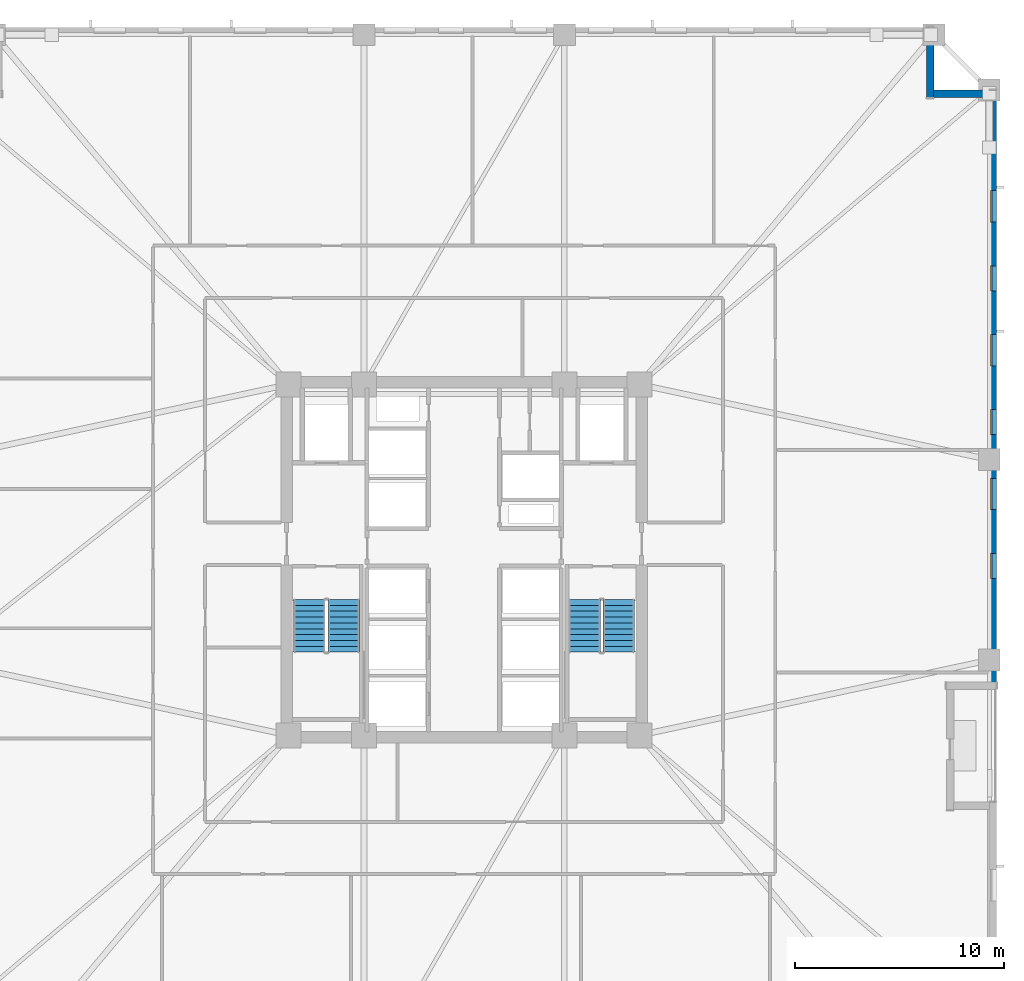
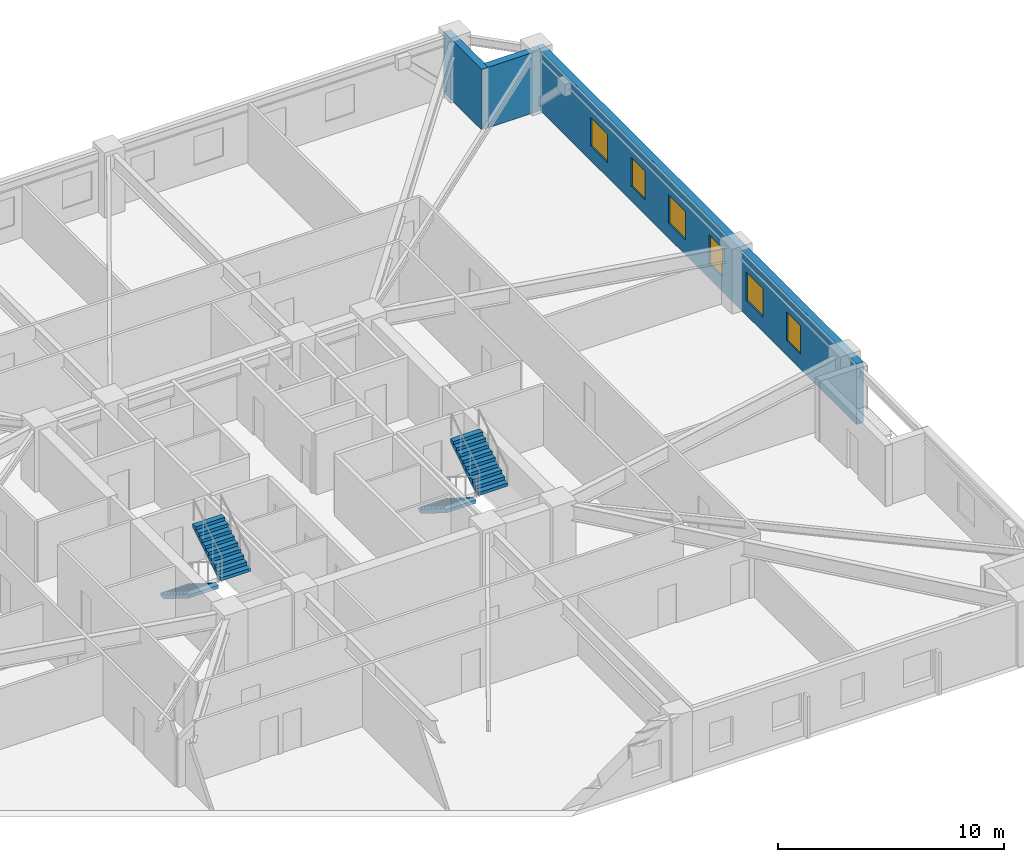
# One storey, part 6 of 11: 6 windows, 4 stair flights, 3 walls, 6 openings, 2 elements without a shape of their own.
"""IFC4 building model written with IfcOpenShell, lengths in metres."""

from ifc_helpers import new_model, si_unit, direction, frame, frame_2d, origin, place, context, subcontext, project, spatial, polyline, rectangle, outline, extrude, material, layer, layer_set, type_object, element, fill, aggregate, save


model = new_model("IFC4")

# Units and contexts
model_context = context("Model", 3, precision=1e-05, world=origin(), true_north=direction((0.0, 1.0)))
body_context = subcontext(model_context, "Body", "Model", "MODEL_VIEW")
ifc_project = project(units=[si_unit("LENGTHUNIT", "METRE"), si_unit("AREAUNIT", "SQUARE_METRE"), si_unit("VOLUMEUNIT", "CUBIC_METRE"), si_unit("PLANEANGLEUNIT", "RADIAN"), si_unit("MASSUNIT", "GRAM", prefix="KILO")], contexts=[model_context])

# Site, building, storey
site_placement = place(None, origin())
site = spatial("IfcSite", under=ifc_project, at=site_placement, CompositionType="ELEMENT")
building_placement = place(site_placement, origin())
building = spatial("IfcBuilding", under=site, at=building_placement, Name="Cairnveth Concourse Tower", CompositionType="ELEMENT")
storey_placement = place(building_placement, frame((0.0, 0.0, 58.5)))
storey = spatial("IfcBuildingStorey", under=building, at=storey_placement, Name="L15", CompositionType="ELEMENT", Elevation=58.5)

# Walls
ifc_material_1 = material(Name="Hawthorn Red-Ochre Fired Clay Brick Masonry", Category="masonry")
ifc_layer = layer(ifc_material_1, 0.360107421875)
ifc_layer_set = layer_set([ifc_layer], Name="Hawthorn Red-Ochre Fired Clay Brick Masonry")
wall_type = type_object("IfcWallType", Name="ZONE 1 BRICK PIER SPANDREL WALL 360", PredefinedType="SOLIDWALL", material=ifc_layer_set)
wall_1_placement = place(storey_placement, frame((74.320068359375, 64.5, 0.0), z_axis=(0.0, 0.0, 1.0), x_axis=(0.0, -1.0, 0.0)))
element("IfcWall", 1, at=wall_1_placement, inside=storey, type_object=wall_type, Name="Exterior Wall EW-L15-S10", PredefinedType="SOLIDWALL", context=body_context, shape_type="SweptSolid", body=[
    extrude(rectangle(XDim=3.360107421875, YDim=0.360107421875, at=frame_2d((1.68017578125, 0.0))), origin(), (0.0, 0.0, 1.0), 3.280029296875),
])
wall_2_placement = place(storey_placement, frame((74.47802734375, 61.320068359375, 0.0), z_axis=(0.0, 0.0, 1.0), x_axis=(1.0, 0.0, 0.0)))
element("IfcWall", 2, at=wall_2_placement, inside=storey, type_object=wall_type, Name="Exterior Wall EW-L15-S11", PredefinedType="SOLIDWALL", context=body_context, shape_type="SweptSolid", body=[
    extrude(rectangle(XDim=2.68408203125, YDim=0.360107421875, at=frame_2d((1.342041015625, 0.0))), origin(), (0.0, 0.0, 1.0), 3.280029296875),
])

# Wall, openings, windows
wall_3_placement = place(storey_placement, frame((77.320068359375, 61.5, 0.0), z_axis=(0.0, 0.0, 1.0), x_axis=(0.0, -1.0, 0.0)))
wall_3 = element("IfcWall", 3, at=wall_3_placement, inside=storey, type_object=wall_type, Name="Exterior Wall EW-L15-S12", PredefinedType="SOLIDWALL", context=body_context, shape_type="SweptSolid", body=[
    extrude(rectangle(XDim=28.362060546875, YDim=0.360107421875, at=frame_2d((14.18115234375, 0.0))), origin(), (0.0, 0.0, 1.0), 3.280029296875),
])
opening_1_placement = place(wall_3_placement, frame((4.82177734375, 0.0, 0.800048828125)))
opening_1 = element("IfcOpeningElement", 4, at=opening_1_placement, cuts=wall_3, Name="Opening W03", PredefinedType="OPENING", context=body_context, shape_type="SweptSolid", body=[
    extrude(rectangle(XDim=1.5, YDim=1.5439453125, at=frame_2d((0.75, 0.77197265625))), frame((0.0, 0.18994140625, 0.0), z_axis=(0.0, -1.0, 0.0), x_axis=(1.0, 0.0, 0.0)), (0.0, 0.0, 1.0), 0.380126953125),
])
opening_2_placement = place(wall_3_placement, frame((8.41552734375, 0.0, 0.800048828125)))
opening_2 = element("IfcOpeningElement", 5, at=opening_2_placement, cuts=wall_3, Name="Opening W01", PredefinedType="OPENING", context=body_context, shape_type="SweptSolid", body=[
    extrude(rectangle(XDim=1.199951171875, YDim=1.5439453125, at=frame_2d((0.60009765625, 0.77197265625))), frame((0.0, 0.18994140625, 0.0), z_axis=(0.0, -1.0, 0.0), x_axis=(1.0, 0.0, 0.0)), (0.0, 0.0, 1.0), 0.380126953125),
])
opening_3_placement = place(wall_3_placement, frame((11.709228515625, 0.0, 0.800048828125)))
opening_3 = element("IfcOpeningElement", 6, at=opening_3_placement, cuts=wall_3, Name="Opening W03", PredefinedType="OPENING", context=body_context, shape_type="SweptSolid", body=[
    extrude(rectangle(XDim=1.5, YDim=1.5439453125, at=frame_2d((0.75, 0.77197265625))), frame((0.0, 0.18994140625, 0.0), z_axis=(0.0, -1.0, 0.0), x_axis=(1.0, 0.0, 0.0)), (0.0, 0.0, 1.0), 0.380126953125),
])
opening_4_placement = place(wall_3_placement, frame((15.302734375, 0.0, 0.800048828125)))
opening_4 = element("IfcOpeningElement", 7, at=opening_4_placement, cuts=wall_3, Name="Opening W01", PredefinedType="OPENING", context=body_context, shape_type="SweptSolid", body=[
    extrude(rectangle(XDim=1.199951171875, YDim=1.5439453125, at=frame_2d((0.60009765625, 0.77197265625))), frame((0.0, 0.18994140625, 0.0), z_axis=(0.0, -1.0, 0.0), x_axis=(1.0, 0.0, 0.0)), (0.0, 0.0, 1.0), 0.380126953125),
])
opening_5_placement = place(wall_3_placement, frame((18.596435546875, 0.0, 0.800048828125)))
opening_5 = element("IfcOpeningElement", 8, at=opening_5_placement, cuts=wall_3, Name="Opening W03", PredefinedType="OPENING", context=body_context, shape_type="SweptSolid", body=[
    extrude(rectangle(XDim=1.5, YDim=1.5439453125, at=frame_2d((0.75, 0.77197265625))), frame((0.0, 0.18994140625, 0.0), z_axis=(0.0, -1.0, 0.0), x_axis=(1.0, 0.0, 0.0)), (0.0, 0.0, 1.0), 0.380126953125),
])
opening_6_placement = place(wall_3_placement, frame((22.190185546875, 0.0, 0.800048828125)))
opening_6 = element("IfcOpeningElement", 9, at=opening_6_placement, cuts=wall_3, Name="Opening W01", PredefinedType="OPENING", context=body_context, shape_type="SweptSolid", body=[
    extrude(rectangle(XDim=1.199951171875, YDim=1.5439453125, at=frame_2d((0.60009765625, 0.77197265625))), frame((0.0, 0.18994140625, 0.0), z_axis=(0.0, -1.0, 0.0), x_axis=(1.0, 0.0, 0.0)), (0.0, 0.0, 1.0), 0.380126953125),
])
ifc_material_2 = material(Name="Double Glazed Low-E Clear Glass", Category="glass")
window_type_1 = type_object("IfcWindowType", Name="DEEP-SET GOTHIC LANCET WINDOW 1200X1800", PartitioningType="DOUBLE_PANEL_VERTICAL", PredefinedType="WINDOW", material=ifc_material_2)
window_1_placement = place(opening_2_placement, origin())
window_1 = element("IfcWindow", 10, at=window_1_placement, inside=storey, type_object=window_type_1, Name="Gothic Lancet Window L15-12-2", OverallHeight=1.5439453125, OverallWidth=1.199951171875, PartitioningType="SINGLE_PANEL", PredefinedType="WINDOW", context=body_context, shape_type="SweptSolid", body=[
    extrude(rectangle(XDim=1.199951171875, YDim=1.5439453125, at=frame_2d((0.60009765625, 0.77197265625))), frame((0.0, -0.050048828125, 0.0), z_axis=(0.0, -1.0, 0.0), x_axis=(1.0, 0.0, 0.0)), (0.0, 0.0, 1.0), 0.06005859375),
])
fill(opening_2, window_1)
window_2_placement = place(opening_4_placement, origin())
window_2 = element("IfcWindow", 11, at=window_2_placement, inside=storey, type_object=window_type_1, Name="Gothic Lancet Window L15-12-4", OverallHeight=1.5439453125, OverallWidth=1.199951171875, PartitioningType="SINGLE_PANEL", PredefinedType="WINDOW", context=body_context, shape_type="SweptSolid", body=[
    extrude(rectangle(XDim=1.199951171875, YDim=1.5439453125, at=frame_2d((0.60009765625, 0.77197265625))), frame((0.0, -0.050048828125, 0.0), z_axis=(0.0, -1.0, 0.0), x_axis=(1.0, 0.0, 0.0)), (0.0, 0.0, 1.0), 0.06005859375),
])
fill(opening_4, window_2)
window_3_placement = place(opening_6_placement, origin())
window_3 = element("IfcWindow", 12, at=window_3_placement, inside=storey, type_object=window_type_1, Name="Gothic Lancet Window L15-12-6", OverallHeight=1.5439453125, OverallWidth=1.199951171875, PartitioningType="SINGLE_PANEL", PredefinedType="WINDOW", context=body_context, shape_type="SweptSolid", body=[
    extrude(rectangle(XDim=1.199951171875, YDim=1.5439453125, at=frame_2d((0.60009765625, 0.77197265625))), frame((0.0, -0.050048828125, 0.0), z_axis=(0.0, -1.0, 0.0), x_axis=(1.0, 0.0, 0.0)), (0.0, 0.0, 1.0), 0.06005859375),
])
fill(opening_6, window_3)
window_type_2 = type_object("IfcWindowType", Name="DEEP-SET GOTHIC LANCET WINDOW 1500X1800", PartitioningType="DOUBLE_PANEL_VERTICAL", PredefinedType="WINDOW", material=ifc_material_2)
window_4_placement = place(opening_1_placement, origin())
window_4 = element("IfcWindow", 13, at=window_4_placement, inside=storey, type_object=window_type_2, Name="Gothic Lancet Window L15-12-1", OverallHeight=1.5439453125, OverallWidth=1.5, PartitioningType="SINGLE_PANEL", PredefinedType="WINDOW", context=body_context, shape_type="SweptSolid", body=[
    extrude(rectangle(XDim=1.5, YDim=1.5439453125, at=frame_2d((0.75, 0.77197265625))), frame((0.0, -0.050048828125, 0.0), z_axis=(0.0, -1.0, 0.0), x_axis=(1.0, 0.0, 0.0)), (0.0, 0.0, 1.0), 0.06005859375),
])
fill(opening_1, window_4)
window_5_placement = place(opening_3_placement, origin())
window_5 = element("IfcWindow", 14, at=window_5_placement, inside=storey, type_object=window_type_2, Name="Gothic Lancet Window L15-12-3", OverallHeight=1.5439453125, OverallWidth=1.5, PartitioningType="SINGLE_PANEL", PredefinedType="WINDOW", context=body_context, shape_type="SweptSolid", body=[
    extrude(rectangle(XDim=1.5, YDim=1.5439453125, at=frame_2d((0.75, 0.77197265625))), frame((0.0, -0.050048828125, 0.0), z_axis=(0.0, -1.0, 0.0), x_axis=(1.0, 0.0, 0.0)), (0.0, 0.0, 1.0), 0.06005859375),
])
fill(opening_3, window_5)
window_6_placement = place(opening_5_placement, origin())
window_6 = element("IfcWindow", 15, at=window_6_placement, inside=storey, type_object=window_type_2, Name="Gothic Lancet Window L15-12-5", OverallHeight=1.5439453125, OverallWidth=1.5, PartitioningType="SINGLE_PANEL", PredefinedType="WINDOW", context=body_context, shape_type="SweptSolid", body=[
    extrude(rectangle(XDim=1.5, YDim=1.5439453125, at=frame_2d((0.75, 0.77197265625))), frame((0.0, -0.050048828125, 0.0), z_axis=(0.0, -1.0, 0.0), x_axis=(1.0, 0.0, 0.0)), (0.0, 0.0, 1.0), 0.06005859375),
])
fill(opening_5, window_6)

# Stair, stair flights
ifc_material_3 = material(Name="Precast concrete N50 (50 MPa)", Category="concrete")
stair_type = type_object("IfcStairType", Name="CORE DOG-LEG FIRE STAIR 1500", PredefinedType="HALF_TURN_STAIR", material=ifc_material_3)
stair_1_placement = place(storey_placement, origin())
stair_1 = element("IfcStair", 16, at=stair_1_placement, inside=storey, type_object=stair_type, Name="L15 Fire-Isolated Stair ST-1", PredefinedType="HALF_TURN_STAIR")
stair_flight_type = type_object("IfcStairFlightType", Name="PRECAST CONCRETE STAIR FLIGHT 1500", PredefinedType="STRAIGHT", material=ifc_material_3)
stair_flight_1_placement = place(storey_placement, frame((44.590087890625, 37.10009765625, 0.0), z_axis=(0.0, 0.0, 1.0), x_axis=(0.0, -1.0, 0.0)))
stair_flight_1 = element("IfcStairFlight", 17, at=stair_flight_1_placement, type_object=stair_flight_type, Name="ST-1 flight 1", NumberOfRisers=10, NumberOfTreads=9, PredefinedType="STRAIGHT", RiserHeight=0.175, TreadLength=0.28, context=body_context, shape_type="SweptSolid", body=[
    extrude(outline(polyline([(0.0, 0.0), (0.0, 0.175048828125), (0.280029296875, 0.175048828125), (0.280029296875, 0.35009765625), (0.56005859375, 0.35009765625), (0.56005859375, 0.52490234375), (0.840087890625, 0.52490234375), (0.840087890625, 0.699951171875), (1.1201171875, 0.699951171875), (1.1201171875, 0.875), (1.39990234375, 0.875), (1.39990234375, 1.050048828125), (1.679931640625, 1.050048828125), (1.679931640625, 1.22509765625), (1.9599609375, 1.22509765625), (1.9599609375, 1.39990234375), (2.239990234375, 1.39990234375), (2.239990234375, 1.574951171875), (2.52001953125, 1.574951171875), (2.52001953125, 1.75), (2.52001953125, 1.398193359375), (0.28271484375, 0.0), (0.0, 0.0)])), frame((0.0, 0.75, 0.0), z_axis=(0.0, -1.0, 0.0), x_axis=(1.0, 0.0, 0.0)), (0.0, 0.0, 1.0), 1.5),
])
stair_flight_2_placement = place(storey_placement, frame((46.22998046875, 34.580078125, 1.75), z_axis=(0.0, 0.0, 1.0), x_axis=(0.0, 1.0, 0.0)))
stair_flight_2 = element("IfcStairFlight", 18, at=stair_flight_2_placement, type_object=stair_flight_type, Name="ST-1 flight 2", NumberOfRisers=10, NumberOfTreads=9, PredefinedType="STRAIGHT", RiserHeight=0.175, TreadLength=0.28, context=body_context, shape_type="SweptSolid", body=[
    extrude(outline(polyline([(0.0, 0.0), (0.0, 0.175048828125), (0.280029296875, 0.175048828125), (0.280029296875, 0.35009765625), (0.56005859375, 0.35009765625), (0.56005859375, 0.52490234375), (0.840087890625, 0.52490234375), (0.840087890625, 0.699951171875), (1.1201171875, 0.699951171875), (1.1201171875, 0.875), (1.39990234375, 0.875), (1.39990234375, 1.050048828125), (1.679931640625, 1.050048828125), (1.679931640625, 1.22509765625), (1.9599609375, 1.22509765625), (1.9599609375, 1.39990234375), (2.239990234375, 1.39990234375), (2.239990234375, 1.574951171875), (2.52001953125, 1.574951171875), (2.52001953125, 1.75), (2.52001953125, 1.398193359375), (0.28271484375, 0.0), (0.0, 0.0)])), frame((0.0, 0.75, 0.0), z_axis=(0.0, -1.0, 0.0), x_axis=(1.0, 0.0, 0.0)), (0.0, 0.0, 1.0), 1.5),
])
aggregate(stair_1, [stair_flight_1, stair_flight_2])

stair_2_placement = place(storey_placement, origin())
stair_2 = element("IfcStair", 19, at=stair_2_placement, inside=storey, type_object=stair_type, Name="L15 Fire-Isolated Stair ST-2", PredefinedType="HALF_TURN_STAIR")
stair_flight_3_placement = place(storey_placement, frame((57.77001953125, 37.10009765625, 0.0), z_axis=(0.0, 0.0, 1.0), x_axis=(0.0, -1.0, 0.0)))
stair_flight_3 = element("IfcStairFlight", 20, at=stair_flight_3_placement, type_object=stair_flight_type, Name="ST-2 flight 1", NumberOfRisers=10, NumberOfTreads=9, PredefinedType="STRAIGHT", RiserHeight=0.175, TreadLength=0.28, context=body_context, shape_type="SweptSolid", body=[
    extrude(outline(polyline([(0.0, 0.0), (0.0, 0.175048828125), (0.280029296875, 0.175048828125), (0.280029296875, 0.35009765625), (0.56005859375, 0.35009765625), (0.56005859375, 0.52490234375), (0.840087890625, 0.52490234375), (0.840087890625, 0.699951171875), (1.1201171875, 0.699951171875), (1.1201171875, 0.875), (1.39990234375, 0.875), (1.39990234375, 1.050048828125), (1.679931640625, 1.050048828125), (1.679931640625, 1.22509765625), (1.9599609375, 1.22509765625), (1.9599609375, 1.39990234375), (2.239990234375, 1.39990234375), (2.239990234375, 1.574951171875), (2.52001953125, 1.574951171875), (2.52001953125, 1.75), (2.52001953125, 1.398193359375), (0.28271484375, 0.0), (0.0, 0.0)])), frame((0.0, 0.75, 0.0), z_axis=(0.0, -1.0, 0.0), x_axis=(1.0, 0.0, 0.0)), (0.0, 0.0, 1.0), 1.5),
])
stair_flight_4_placement = place(storey_placement, frame((59.409912109375, 34.580078125, 1.75), z_axis=(0.0, 0.0, 1.0), x_axis=(0.0, 1.0, 0.0)))
stair_flight_4 = element("IfcStairFlight", 21, at=stair_flight_4_placement, type_object=stair_flight_type, Name="ST-2 flight 2", NumberOfRisers=10, NumberOfTreads=9, PredefinedType="STRAIGHT", RiserHeight=0.175, TreadLength=0.28, context=body_context, shape_type="SweptSolid", body=[
    extrude(outline(polyline([(0.0, 0.0), (0.0, 0.175048828125), (0.280029296875, 0.175048828125), (0.280029296875, 0.35009765625), (0.56005859375, 0.35009765625), (0.56005859375, 0.52490234375), (0.840087890625, 0.52490234375), (0.840087890625, 0.699951171875), (1.1201171875, 0.699951171875), (1.1201171875, 0.875), (1.39990234375, 0.875), (1.39990234375, 1.050048828125), (1.679931640625, 1.050048828125), (1.679931640625, 1.22509765625), (1.9599609375, 1.22509765625), (1.9599609375, 1.39990234375), (2.239990234375, 1.39990234375), (2.239990234375, 1.574951171875), (2.52001953125, 1.574951171875), (2.52001953125, 1.75), (2.52001953125, 1.398193359375), (0.28271484375, 0.0), (0.0, 0.0)])), frame((0.0, 0.75, 0.0), z_axis=(0.0, -1.0, 0.0), x_axis=(1.0, 0.0, 0.0)), (0.0, 0.0, 1.0), 1.5),
])
aggregate(stair_2, [stair_flight_3, stair_flight_4])

save(model, "model.ifc")
